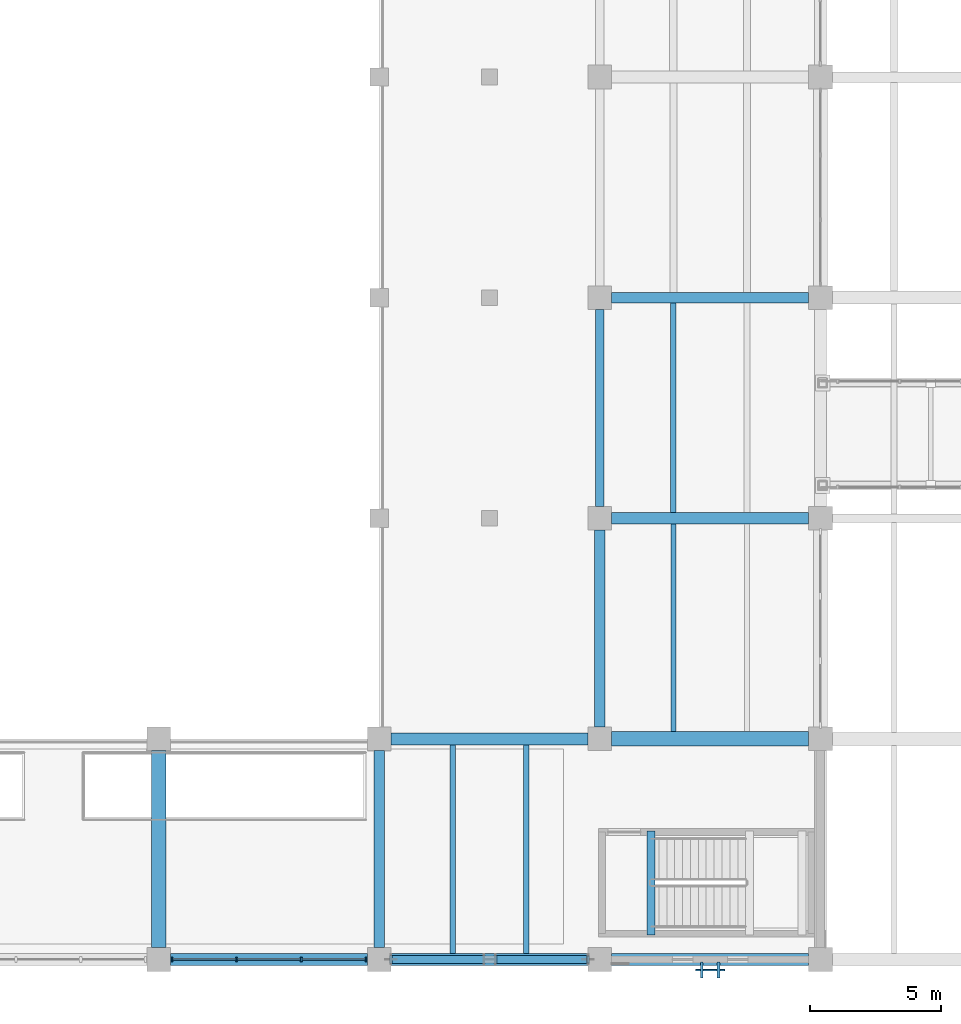
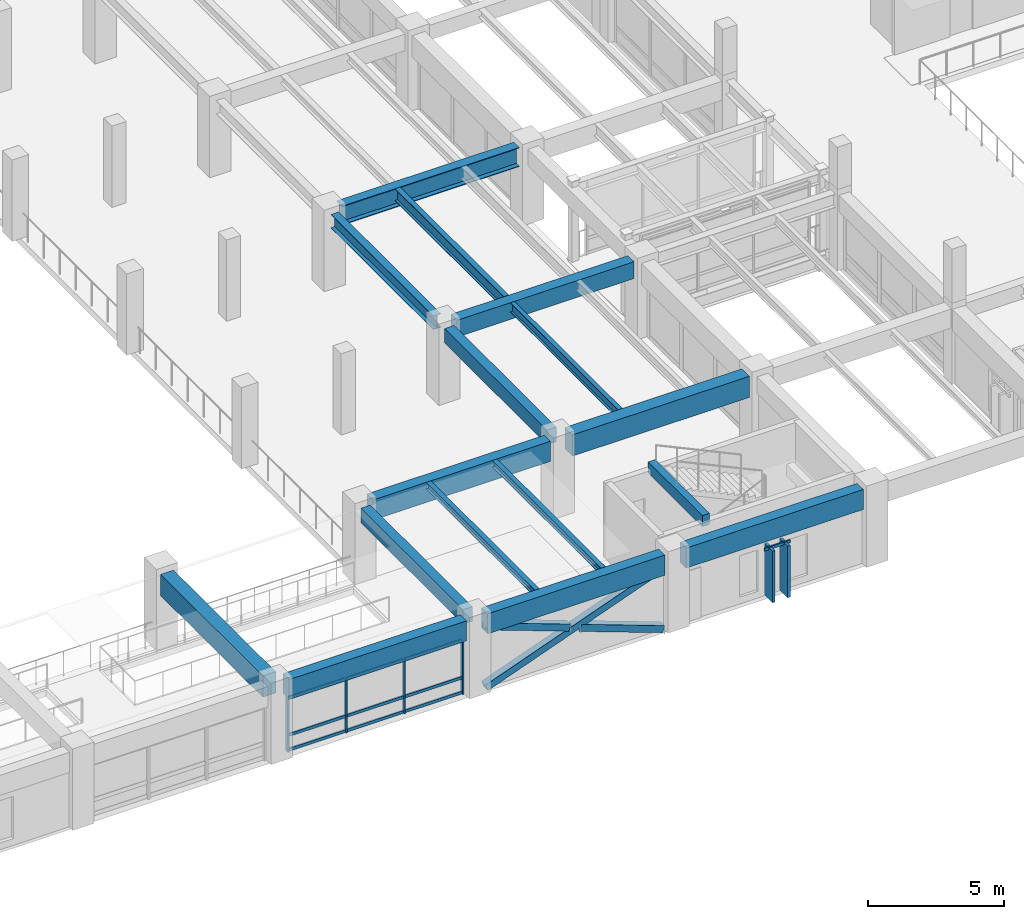
# One storey, part 15 of 118: 19 members, 16 beams, 2 elements without a shape of their own.
"""IFC4 building model written with IfcOpenShell, lengths in metres."""

from ifc_helpers import new_model, si_unit, direction, frame, origin, origin_2d, place, context, subcontext, project, spatial, rectangle, hollow_rectangle, i_section, extrude, material, material_profile, profile_set, type_object, element, aggregate, save


model = new_model("IFC4")

# Units and contexts
model_context = context("Model", 3, precision=1e-05, world=origin(), true_north=direction((0.0, 1.0)))
body_context = subcontext(model_context, "Body", "Model", "MODEL_VIEW")
ifc_project = project(units=[si_unit("LENGTHUNIT", "METRE"), si_unit("AREAUNIT", "SQUARE_METRE"), si_unit("VOLUMEUNIT", "CUBIC_METRE"), si_unit("PLANEANGLEUNIT", "RADIAN"), si_unit("MASSUNIT", "GRAM", prefix="KILO")], contexts=[model_context])

# Site, building, storey
site_placement = place(None, origin())
site = spatial("IfcSite", under=ifc_project, at=site_placement, CompositionType="ELEMENT")
building_placement = place(site_placement, origin())
building = spatial("IfcBuilding", under=site, at=building_placement, Name="Cumbredor Promenade Congress Hotel", CompositionType="ELEMENT")
storey_placement = place(building_placement, frame((0.0, 0.0, 3.919921875)))
storey = spatial("IfcBuildingStorey", under=building, at=storey_placement, Name="L01", CompositionType="ELEMENT", Elevation=3.919921875)

# Beams
ifc_material_1 = material(Name="Concrete C40/50", Category="concrete")
ifc_material_profile_1 = material_profile(ifc_material_1, rectangle(XDim=0.39990234375, YDim=0.64990234375, at=origin_2d()), Name="RC BEAM 400x650")
ifc_profile_set_1 = profile_set([ifc_material_profile_1], Name="Concrete C40/50")
beam_type_1 = type_object("IfcBeamType", Name="BM-RC-400x650", PredefinedType="BEAM", material=ifc_profile_set_1)
for number, where, z_axis, x_axis, name in (
    (1, (50.39990234375, 8.85009765625, 3.03515625), (0.0, 1.0, 0.0), (-1.0, 0.0, 0.0), "L02 Y-Grid Beam 077"),
    (2, (58.800048828125, 17.25, 3.03515625), (0.0, 1.0, 0.0), (-1.0, 0.0, 0.0), "L02 Y-Grid Beam 093"),
):
    element("IfcBeam", number, at=place(storey_placement, frame(where, z_axis=z_axis, x_axis=x_axis)), inside=storey, type_object=beam_type_1, Name=name, PredefinedType="BEAM", context=body_context, shape_type="SweptSolid", body=[
        extrude(rectangle(XDim=0.39990234375, YDim=0.64990234375, at=origin_2d()), origin(), (0.0, 0.0, 1.0), 7.5),
    ])
ifc_material_profile_2 = material_profile(ifc_material_1, rectangle(XDim=0.449951171875, YDim=0.75, at=origin_2d()), Name="RC BEAM 450x750")
ifc_profile_set_2 = profile_set([ifc_material_profile_2], Name="Concrete C40/50")
beam_type_2 = type_object("IfcBeamType", Name="BM-RC-450x750", PredefinedType="BEAM", material=ifc_profile_set_2)
beam_1_placement = place(storey_placement, frame((59.25, 25.199951171875, 2.985107421875), z_axis=(1.0, 0.0, 0.0), x_axis=(0.0, 1.0, 0.0)))
element("IfcBeam", 3, at=beam_1_placement, inside=storey, type_object=beam_type_2, Name="L02 X-Grid Beam 094", PredefinedType="BEAM", context=body_context, shape_type="SweptSolid", body=[
    extrude(rectangle(XDim=0.449951171875, YDim=0.75, at=origin_2d()), origin(), (0.0, 0.0, 1.0), 7.5),
])
ifc_material_profile_3 = material_profile(ifc_material_1, rectangle(XDim=0.550048828125, YDim=0.949951171875, at=origin_2d()), Name="RC BEAM 550x950")
ifc_profile_set_3 = profile_set([ifc_material_profile_3], Name="Concrete C40/50")
beam_type_3 = type_object("IfcBeamType", Name="BM-RC-550x950", PredefinedType="BEAM", material=ifc_profile_set_3)
for number, where, z_axis, x_axis, name in (
    (4, (42.0, 8.85009765625, 2.885009765625), (0.0, 1.0, 0.0), (-1.0, 0.0, 0.0), "L02 Y-Grid Beam 068"),
    (5, (59.25, 16.800048828125, 2.885009765625), (1.0, 0.0, 0.0), (0.0, 1.0, 0.0), "L02 X-Grid Beam 092"),
):
    element("IfcBeam", number, at=place(storey_placement, frame(where, z_axis=z_axis, x_axis=x_axis)), inside=storey, type_object=beam_type_3, Name=name, PredefinedType="BEAM", context=body_context, shape_type="SweptSolid", body=[
        extrude(rectangle(XDim=0.550048828125, YDim=0.949951171875, at=origin_2d()), origin(), (0.0, 0.0, 1.0), 7.5),
    ])
ifc_material_2 = material(Name="Steel ASTM A992 Grade 50", Category="steel")
ifc_material_profile_4 = material_profile(ifc_material_2, i_section(OverallWidth=0.39990234375, OverallDepth=0.85498046875, WebThickness=0.018310546875, FlangeThickness=0.029296875, at=origin_2d()), Name="W33X201")
ifc_profile_set_4 = profile_set([ifc_material_profile_4], Name="Steel ASTM A992 Grade 50")
beam_type_4 = type_object("IfcBeamType", Name="BM-W33X201", PredefinedType="BEAM", material=ifc_profile_set_4)
beam_2_placement = place(storey_placement, frame((59.25, 33.60009765625, 2.9326171875), z_axis=(1.0, 0.0, 0.0), x_axis=(0.0, 1.0, 0.0)))
element("IfcBeam", 6, at=beam_2_placement, inside=storey, type_object=beam_type_4, Name="L02 X-Grid Beam 096", PredefinedType="BEAM", context=body_context, shape_type="SweptSolid", body=[
    extrude(i_section(OverallWidth=0.39990234375, OverallDepth=0.85498046875, WebThickness=0.018310546875, FlangeThickness=0.029296875, at=origin_2d()), origin(), (0.0, 0.0, 1.0), 7.5),
])

# Curtain wall, members
ifc_material_3 = material(Name="Thermally broken anodized aluminium and low-E glass", Category="aluminium")
curtain_wall_type_1 = type_object("IfcCurtainWallType", Name="Unitised Bronze Curtain Wall CW-01", PredefinedType="NOTDEFINED", material=ifc_material_3)
curtain_wall_1_placement = place(storey_placement, origin())
curtain_wall_1 = element("IfcCurtainWall", 7, at=curtain_wall_1_placement, inside=storey, type_object=curtain_wall_type_1, Name="L01 Plenary Congress Hall South Curtain Wall 5", PredefinedType="NOTDEFINED")
ifc_material_4 = material(Name="Thermally broken anodized aluminium", Category="aluminium")
ifc_material_profile_5 = material_profile(ifc_material_4, rectangle(XDim=0.06494140625, YDim=0.159912109375, at=origin_2d()), Name="ALU MULLION 65x160")
ifc_profile_set_5 = profile_set([ifc_material_profile_5], Name="Thermally broken anodized aluminium")
member_type_1 = type_object("IfcMemberType", Name="Curtain Wall Mullion ML-01", PredefinedType="MULLION", material=ifc_profile_set_5)
member_1_placement = place(storey_placement, frame((42.5048828125, 8.39990234375, -0.0078125), z_axis=(0.0, 0.0, 1.0), x_axis=(1.0, 0.0, 0.0)))
member_1 = element("IfcMember", 8, at=member_1_placement, type_object=member_type_1, Name="L01 Plenary Congress Hall South Curtain Wall 5 Mullion 1", PredefinedType="MULLION", context=body_context, shape_type="SweptSolid", body=[
    extrude(rectangle(XDim=0.06494140625, YDim=0.159912109375, at=origin_2d()), origin(), (0.0, 0.0, 1.0), 2.4609375),
])
member_2_placement = place(storey_placement, frame((44.96826171875, 8.39990234375, -0.0078125), z_axis=(0.0, 0.0, 1.0), x_axis=(1.0, 0.0, 0.0)))
member_2 = element("IfcMember", 9, at=member_2_placement, type_object=member_type_1, Name="L01 Plenary Congress Hall South Curtain Wall 5 Mullion 2", PredefinedType="MULLION", context=body_context, shape_type="SweptSolid", body=[
    extrude(rectangle(XDim=0.06494140625, YDim=0.159912109375, at=origin_2d()), origin(), (0.0, 0.0, 1.0), 2.4609375),
])
member_3_placement = place(storey_placement, frame((47.431640625, 8.39990234375, -0.0078125), z_axis=(0.0, 0.0, 1.0), x_axis=(1.0, 0.0, 0.0)))
member_3 = element("IfcMember", 10, at=member_3_placement, type_object=member_type_1, Name="L01 Plenary Congress Hall South Curtain Wall 5 Mullion 3", PredefinedType="MULLION", context=body_context, shape_type="SweptSolid", body=[
    extrude(rectangle(XDim=0.06494140625, YDim=0.159912109375, at=origin_2d()), origin(), (0.0, 0.0, 1.0), 2.4609375),
])
member_4_placement = place(storey_placement, frame((49.89501953125, 8.39990234375, -0.0078125), z_axis=(0.0, 0.0, 1.0), x_axis=(1.0, 0.0, 0.0)))
member_4 = element("IfcMember", 11, at=member_4_placement, type_object=member_type_1, Name="L01 Plenary Congress Hall South Curtain Wall 5 Mullion 4", PredefinedType="MULLION", context=body_context, shape_type="SweptSolid", body=[
    extrude(rectangle(XDim=0.06494140625, YDim=0.159912109375, at=origin_2d()), origin(), (0.0, 0.0, 1.0), 2.4609375),
])
ifc_material_profile_6 = material_profile(ifc_material_4, rectangle(XDim=0.06494140625, YDim=0.1298828125, at=origin_2d()), Name="ALU TRANSOM 65x130")
ifc_profile_set_6 = profile_set([ifc_material_profile_6], Name="Thermally broken anodized aluminium")
member_type_2 = type_object("IfcMemberType", Name="Curtain Wall Transom TR-01", PredefinedType="USERDEFINED", material=ifc_profile_set_6)
member_5_placement = place(storey_placement, frame((42.53759765625, 8.39990234375, 0.06005859375), z_axis=(1.0, 0.0, 0.0), x_axis=(0.0, 1.0, 0.0)))
member_5 = element("IfcMember", 12, at=member_5_placement, type_object=member_type_2, Name="L01 Plenary Congress Hall South Curtain Wall 5 Transom 1.1", ObjectType="TRANSOM", PredefinedType="USERDEFINED", context=body_context, shape_type="SweptSolid", body=[
    extrude(rectangle(XDim=0.06494140625, YDim=0.1298828125, at=origin_2d()), origin(), (0.0, 0.0, 1.0), 2.398193359375),
])
member_6_placement = place(storey_placement, frame((42.53759765625, 8.39990234375, 0.719970703125), z_axis=(1.0, 0.0, 0.0), x_axis=(0.0, 1.0, 0.0)))
member_6 = element("IfcMember", 13, at=member_6_placement, type_object=member_type_2, Name="L01 Plenary Congress Hall South Curtain Wall 5 Transom 1.2", ObjectType="TRANSOM", PredefinedType="USERDEFINED", context=body_context, shape_type="SweptSolid", body=[
    extrude(rectangle(XDim=0.06494140625, YDim=0.1298828125, at=origin_2d()), origin(), (0.0, 0.0, 1.0), 2.398193359375),
])
member_7_placement = place(storey_placement, frame((42.53759765625, 8.39990234375, 2.380126953125), z_axis=(1.0, 0.0, 0.0), x_axis=(0.0, 1.0, 0.0)))
member_7 = element("IfcMember", 14, at=member_7_placement, type_object=member_type_2, Name="L01 Plenary Congress Hall South Curtain Wall 5 Transom 1.3", ObjectType="TRANSOM", PredefinedType="USERDEFINED", context=body_context, shape_type="SweptSolid", body=[
    extrude(rectangle(XDim=0.06494140625, YDim=0.1298828125, at=origin_2d()), origin(), (0.0, 0.0, 1.0), 2.398193359375),
])
member_8_placement = place(storey_placement, frame((45.000732421875, 8.39990234375, 0.06005859375), z_axis=(1.0, 0.0, 0.0), x_axis=(0.0, 1.0, 0.0)))
member_8 = element("IfcMember", 15, at=member_8_placement, type_object=member_type_2, Name="L01 Plenary Congress Hall South Curtain Wall 5 Transom 2.1", ObjectType="TRANSOM", PredefinedType="USERDEFINED", context=body_context, shape_type="SweptSolid", body=[
    extrude(rectangle(XDim=0.06494140625, YDim=0.1298828125, at=origin_2d()), origin(), (0.0, 0.0, 1.0), 2.3984375),
])
member_9_placement = place(storey_placement, frame((45.000732421875, 8.39990234375, 0.719970703125), z_axis=(1.0, 0.0, 0.0), x_axis=(0.0, 1.0, 0.0)))
member_9 = element("IfcMember", 16, at=member_9_placement, type_object=member_type_2, Name="L01 Plenary Congress Hall South Curtain Wall 5 Transom 2.2", ObjectType="TRANSOM", PredefinedType="USERDEFINED", context=body_context, shape_type="SweptSolid", body=[
    extrude(rectangle(XDim=0.06494140625, YDim=0.1298828125, at=origin_2d()), origin(), (0.0, 0.0, 1.0), 2.3984375),
])
member_10_placement = place(storey_placement, frame((45.000732421875, 8.39990234375, 2.380126953125), z_axis=(1.0, 0.0, 0.0), x_axis=(0.0, 1.0, 0.0)))
member_10 = element("IfcMember", 17, at=member_10_placement, type_object=member_type_2, Name="L01 Plenary Congress Hall South Curtain Wall 5 Transom 2.3", ObjectType="TRANSOM", PredefinedType="USERDEFINED", context=body_context, shape_type="SweptSolid", body=[
    extrude(rectangle(XDim=0.06494140625, YDim=0.1298828125, at=origin_2d()), origin(), (0.0, 0.0, 1.0), 2.3984375),
])
member_11_placement = place(storey_placement, frame((47.464111328125, 8.39990234375, 0.06005859375), z_axis=(1.0, 0.0, 0.0), x_axis=(0.0, 1.0, 0.0)))
member_11 = element("IfcMember", 18, at=member_11_placement, type_object=member_type_2, Name="L01 Plenary Congress Hall South Curtain Wall 5 Transom 3.1", ObjectType="TRANSOM", PredefinedType="USERDEFINED", context=body_context, shape_type="SweptSolid", body=[
    extrude(rectangle(XDim=0.06494140625, YDim=0.1298828125, at=origin_2d()), origin(), (0.0, 0.0, 1.0), 2.3984375),
])
member_12_placement = place(storey_placement, frame((47.464111328125, 8.39990234375, 0.719970703125), z_axis=(1.0, 0.0, 0.0), x_axis=(0.0, 1.0, 0.0)))
member_12 = element("IfcMember", 19, at=member_12_placement, type_object=member_type_2, Name="L01 Plenary Congress Hall South Curtain Wall 5 Transom 3.2", ObjectType="TRANSOM", PredefinedType="USERDEFINED", context=body_context, shape_type="SweptSolid", body=[
    extrude(rectangle(XDim=0.06494140625, YDim=0.1298828125, at=origin_2d()), origin(), (0.0, 0.0, 1.0), 2.3984375),
])
member_13_placement = place(storey_placement, frame((47.464111328125, 8.39990234375, 2.380126953125), z_axis=(1.0, 0.0, 0.0), x_axis=(0.0, 1.0, 0.0)))
member_13 = element("IfcMember", 20, at=member_13_placement, type_object=member_type_2, Name="L01 Plenary Congress Hall South Curtain Wall 5 Transom 3.3", ObjectType="TRANSOM", PredefinedType="USERDEFINED", context=body_context, shape_type="SweptSolid", body=[
    extrude(rectangle(XDim=0.06494140625, YDim=0.1298828125, at=origin_2d()), origin(), (0.0, 0.0, 1.0), 2.3984375),
])
aggregate(curtain_wall_1, [member_1, member_2, member_3, member_4, member_5, member_6, member_7, member_8, member_9, member_10, member_11, member_12, member_13])

# Curtain wall, member
curtain_wall_type_2 = type_object("IfcCurtainWallType", Name="Solar Brise-Soleil Screen Assembly CW-07", PredefinedType="NOTDEFINED", material=ifc_material_3)
curtain_wall_2_placement = place(storey_placement, origin())
curtain_wall_2 = element("IfcCurtainWall", 21, at=curtain_wall_2_placement, inside=storey, type_object=curtain_wall_type_2, Name="L01 Pier Brise-Soleil Screen 0148", PredefinedType="NOTDEFINED")
member_14_placement = place(storey_placement, frame((62.449951171875, 8.0, 2.28515625), z_axis=(1.0, 0.0, 0.0), x_axis=(0.0, 1.0, 0.0)))
member_14 = element("IfcMember", 22, at=member_14_placement, type_object=member_type_2, Name="L01 Pier Brise-Soleil Header 0150", ObjectType="TRANSOM", PredefinedType="USERDEFINED", context=body_context, shape_type="SweptSolid", body=[
    extrude(rectangle(XDim=0.06494140625, YDim=0.1298828125, at=origin_2d()), origin(), (0.0, 0.0, 1.0), 1.10009765625),
])

# Beams
ifc_material_profile_7 = material_profile(ifc_material_2, i_section(OverallWidth=0.202880859375, OverallDepth=0.302978515625, WebThickness=0.007568359375, FlangeThickness=0.01318359375, at=origin_2d()), Name="W12X40")
ifc_profile_set_7 = profile_set([ifc_material_profile_7], Name="Steel ASTM A992 Grade 50")
beam_type_5 = type_object("IfcBeamType", Name="JST-W12X40", PredefinedType="JOIST", material=ifc_profile_set_7)
for number, where, z_axis, x_axis, name in (
    (23, (53.199951171875, 8.625, 3.20849609375), (0.0, 1.0, 0.0), (-1.0, 0.0, 0.0), "L02 Secondary Floor Joist 0032"),
    (24, (56.0, 8.625, 3.20849609375), (0.0, 1.0, 0.0), (-1.0, 0.0, 0.0), "L02 Secondary Floor Joist 0033"),
):
    element("IfcBeam", number, at=place(storey_placement, frame(where, z_axis=z_axis, x_axis=x_axis)), inside=storey, type_object=beam_type_5, Name=name, PredefinedType="JOIST", context=body_context, shape_type="SweptSolid", body=[
        extrude(i_section(OverallWidth=0.202880859375, OverallDepth=0.302978515625, WebThickness=0.007568359375, FlangeThickness=0.01318359375, at=origin_2d()), origin(), (0.0, 0.0, 1.0), 7.949951171875),
    ])
ifc_material_profile_8 = material_profile(ifc_material_2, i_section(OverallWidth=0.180908203125, OverallDepth=0.4169921875, WebThickness=0.010986328125, FlangeThickness=0.018310546875, at=origin_2d()), Name="W16X57")
ifc_profile_set_8 = profile_set([ifc_material_profile_8], Name="Steel ASTM A992 Grade 50")
beam_type_6 = type_object("IfcBeamType", Name="JST-W16X57", PredefinedType="JOIST", material=ifc_profile_set_8)
beam_3_placement = place(storey_placement, frame((61.60009765625, 17.074951171875, 3.151611328125), z_axis=(0.0, 1.0, 0.0), x_axis=(-1.0, 0.0, 0.0)))
element("IfcBeam", 25, at=beam_3_placement, inside=storey, type_object=beam_type_6, Name="L02 Secondary Floor Joist 0044", PredefinedType="JOIST", context=body_context, shape_type="SweptSolid", body=[
    extrude(i_section(OverallWidth=0.180908203125, OverallDepth=0.4169921875, WebThickness=0.010986328125, FlangeThickness=0.018310546875, at=origin_2d()), origin(), (0.0, 0.0, 1.0), 7.900146484375),
])
ifc_material_profile_9 = material_profile(ifc_material_2, i_section(OverallWidth=0.214111328125, OverallDepth=0.549072265625, WebThickness=0.0146484375, FlangeThickness=0.023681640625, at=origin_2d()), Name="W21X93")
ifc_profile_set_9 = profile_set([ifc_material_profile_9], Name="Steel ASTM A992 Grade 50")
beam_type_7 = type_object("IfcBeamType", Name="JST-W21X93", PredefinedType="JOIST", material=ifc_profile_set_9)
beam_4_placement = place(storey_placement, frame((61.60009765625, 25.425048828125, 3.085693359375), z_axis=(0.0, 1.0, 0.0), x_axis=(-1.0, 0.0, 0.0)))
element("IfcBeam", 26, at=beam_4_placement, inside=storey, type_object=beam_type_7, Name="L02 Secondary Floor Joist 0046", PredefinedType="JOIST", context=body_context, shape_type="SweptSolid", body=[
    extrude(i_section(OverallWidth=0.214111328125, OverallDepth=0.549072265625, WebThickness=0.0146484375, FlangeThickness=0.023681640625, at=origin_2d()), origin(), (0.0, 0.0, 1.0), 7.974853515625),
])
ifc_material_profile_10 = material_profile(ifc_material_1, rectangle(XDim=0.300048828125, YDim=0.5, at=origin_2d()), Name="RC LINTEL 300x500")
ifc_profile_set_10 = profile_set([ifc_material_profile_10], Name="Concrete C40/50")
beam_type_8 = type_object("IfcBeamType", Name="LN-RC-300x500", PredefinedType="LINTEL", material=ifc_profile_set_10)
beam_5_placement = place(storey_placement, frame((60.75, 9.330078125, 3.39013671875), z_axis=(0.0, 1.0, 0.0), x_axis=(-1.0, 0.0, 0.0)))
element("IfcBeam", 27, at=beam_5_placement, inside=storey, type_object=beam_type_8, Name="L02 Stair ST-05 Well Header Trimmer Beam", PredefinedType="LINTEL", context=body_context, shape_type="SweptSolid", body=[
    extrude(rectangle(XDim=0.300048828125, YDim=0.5, at=origin_2d()), origin(), (0.0, 0.0, 1.0), 3.969970703125),
])
ifc_material_profile_11 = material_profile(ifc_material_1, rectangle(XDim=0.449951171875, YDim=0.89990234375, at=origin_2d()), Name="RC SPANDREL 450x900")
ifc_profile_set_11 = profile_set([ifc_material_profile_11], Name="Concrete C40/50")
beam_type_9 = type_object("IfcBeamType", Name="SP-RC-450x900", PredefinedType="SPANDREL", material=ifc_profile_set_11)
for number, where, z_axis, x_axis, name in (
    (28, (42.449951171875, 8.39990234375, 2.91015625), (1.0, 0.0, 0.0), (0.0, 1.0, 0.0), "L02 X-Grid Beam 067"),
    (29, (50.85009765625, 8.39990234375, 2.91015625), (1.0, 0.0, 0.0), (0.0, 1.0, 0.0), "L02 X-Grid Beam 076"),
    (30, (50.85009765625, 16.800048828125, 2.91015625), (1.0, 0.0, 0.0), (0.0, 1.0, 0.0), "L02 X-Grid Beam 078"),
    (31, (59.25, 8.39990234375, 2.91015625), (1.0, 0.0, 0.0), (0.0, 1.0, 0.0), "L02 X-Grid Beam 091"),
):
    element("IfcBeam", number, at=place(storey_placement, frame(where, z_axis=z_axis, x_axis=x_axis)), inside=storey, type_object=beam_type_9, Name=name, PredefinedType="SPANDREL", context=body_context, shape_type="SweptSolid", body=[
        extrude(rectangle(XDim=0.449951171875, YDim=0.89990234375, at=origin_2d()), origin(), (0.0, 0.0, 1.0), 7.5),
    ])
ifc_material_profile_12 = material_profile(ifc_material_2, i_section(OverallWidth=0.323974609375, OverallDepth=0.611083984375, WebThickness=0.0126953125, FlangeThickness=0.01904296875, at=origin_2d()), Name="W24X104")
ifc_profile_set_12 = profile_set([ifc_material_profile_12], Name="Steel ASTM A992 Grade 50")
beam_type_10 = type_object("IfcBeamType", Name="SP-W24X104", PredefinedType="SPANDREL", material=ifc_profile_set_12)
beam_6_placement = place(storey_placement, frame((58.800048828125, 25.64990234375, 3.0546875), z_axis=(0.0, 1.0, 0.0), x_axis=(-1.0, 0.0, 0.0)))
element("IfcBeam", 32, at=beam_6_placement, inside=storey, type_object=beam_type_10, Name="L02 Y-Grid Beam 095", PredefinedType="SPANDREL", context=body_context, shape_type="SweptSolid", body=[
    extrude(i_section(OverallWidth=0.323974609375, OverallDepth=0.611083984375, WebThickness=0.0126953125, FlangeThickness=0.01904296875, at=origin_2d()), origin(), (0.0, 0.0, 1.0), 7.5),
])

# Members
ifc_material_5 = material(Name="Steel ASTM A500 Grade C", Category="steel")
ifc_material_profile_13 = material_profile(ifc_material_5, hollow_rectangle(XDim=0.300048828125, YDim=0.300048828125, WallThickness=0.01611328125, at=origin_2d()), Name="HSS 300x300x16")
ifc_profile_set_13 = profile_set([ifc_material_profile_13], Name="Steel ASTM A500 Grade C")
member_type_3 = type_object("IfcMemberType", Name="Seismic Frame Brace CBF-1", PredefinedType="BRACE", material=ifc_profile_set_13)
member_15_placement = place(storey_placement, frame((50.85009765625, 8.39990234375, 0.0), z_axis=(0.938876315887, 0.0, 0.344254649158), x_axis=(0.0, 1.0, 0.0)))
element("IfcMember", 33, at=member_15_placement, inside=storey, type_object=member_type_3, Name="L01 X-Brace Continuous Diagonal 14A", PredefinedType="BRACE", context=body_context, shape_type="SweptSolid", body=[
    extrude(hollow_rectangle(XDim=0.300048828125, YDim=0.300048828125, WallThickness=0.01611328125, at=origin_2d()), origin(), (0.0, 0.0, 1.0), 7.98828125),
])
member_16_placement = place(storey_placement, frame((58.35009765625, 8.39990234375, 0.0), z_axis=(-0.938874914687, 0.0, 0.344258470588), x_axis=(0.0, -1.0, 0.0)))
element("IfcMember", 34, at=member_16_placement, inside=storey, type_object=member_type_3, Name="L01 X-Brace Lower Split Diagonal 14B1", PredefinedType="BRACE", context=body_context, shape_type="SweptSolid", body=[
    extrude(hollow_rectangle(XDim=0.300048828125, YDim=0.300048828125, WallThickness=0.01611328125, at=origin_2d()), origin(), (0.0, 0.0, 1.0), 3.75439453125),
])
member_17_placement = place(storey_placement, frame((54.374755859375, 8.39990234375, 1.457763671875), z_axis=(-0.93888822645, 0.0, 0.344222164065), x_axis=(0.0, -1.0, 0.0)))
element("IfcMember", 35, at=member_17_placement, inside=storey, type_object=member_type_3, Name="L01 X-Brace Upper Split Diagonal 14B2", PredefinedType="BRACE", context=body_context, shape_type="SweptSolid", body=[
    extrude(hollow_rectangle(XDim=0.300048828125, YDim=0.300048828125, WallThickness=0.01611328125, at=origin_2d()), origin(), (0.0, 0.0, 1.0), 3.754150390625),
])

# Member
ifc_material_profile_14 = material_profile(ifc_material_4, rectangle(XDim=0.110107421875, YDim=0.6201171875, at=origin_2d()), Name="ARCH FIN 110x620")
ifc_profile_set_14 = profile_set([ifc_material_profile_14], Name="Thermally broken anodized aluminium")
member_type_4 = type_object("IfcMemberType", Name="Vertical Bronze Brise-Soleil Fin BSF-02 110x620", PredefinedType="USERDEFINED", material=ifc_profile_set_14)
member_18_placement = place(storey_placement, frame((62.679931640625, 8.0, 0.02001953125), z_axis=(0.0, 0.0, 1.0), x_axis=(1.0, 0.0, 0.0)))
member_18 = element("IfcMember", 36, at=member_18_placement, type_object=member_type_4, Name="L01 Pier Brise-Soleil Fin 0149", ObjectType="SOLAR FIN", PredefinedType="USERDEFINED", context=body_context, shape_type="SweptSolid", body=[
    extrude(rectangle(XDim=0.110107421875, YDim=0.6201171875, at=origin_2d()), origin(), (0.0, 0.0, 1.0), 2.30517578125),
])

member_19_placement = place(storey_placement, frame((63.320068359375, 8.0, 0.02001953125), z_axis=(0.0, 0.0, 1.0), x_axis=(1.0, 0.0, 0.0)))
member_19 = element("IfcMember", 37, at=member_19_placement, type_object=member_type_4, Name="L01 Pier Brise-Soleil Fin 0150", ObjectType="SOLAR FIN", PredefinedType="USERDEFINED", context=body_context, shape_type="SweptSolid", body=[
    extrude(rectangle(XDim=0.110107421875, YDim=0.6201171875, at=origin_2d()), origin(), (0.0, 0.0, 1.0), 2.30517578125),
])

aggregate(curtain_wall_2, [member_18, member_19, member_14])

save(model, "model.ifc")
